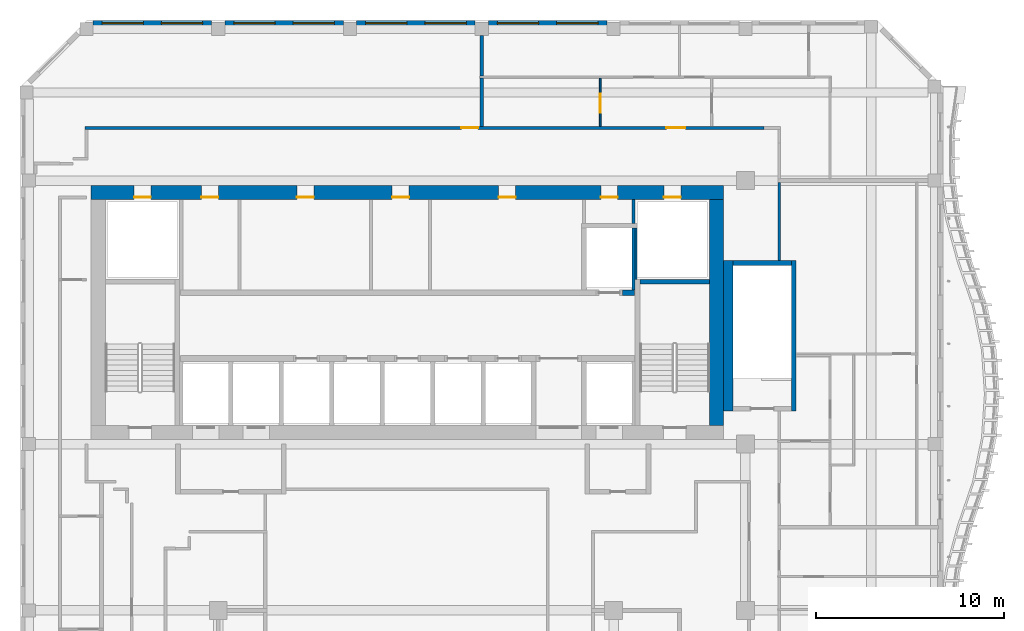
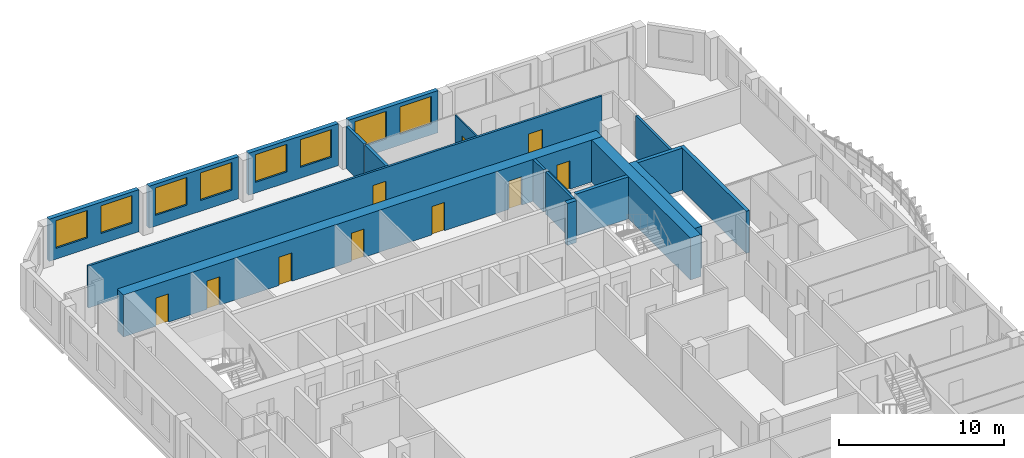
# One storey, part 8 of 18: 19 walls, 10 doors, 8 windows, 18 openings.
"""IFC4 building model written with IfcOpenShell, lengths in metres."""

from ifc_helpers import new_model, si_unit, direction, frame, frame_2d, origin, place, context, subcontext, project, spatial, rectangle, extrude, source, transform, mapped, material, layer, layer_set, type_object, element, fill, save


model = new_model("IFC4")

# Units and contexts
model_context = context("Model", 3, precision=1e-05, world=origin(), true_north=direction((0.0, 1.0)))
body_context = subcontext(model_context, "Body", "Model", "MODEL_VIEW")
ifc_project = project(units=[si_unit("LENGTHUNIT", "METRE"), si_unit("AREAUNIT", "SQUARE_METRE"), si_unit("VOLUMEUNIT", "CUBIC_METRE"), si_unit("PLANEANGLEUNIT", "RADIAN"), si_unit("MASSUNIT", "GRAM", prefix="KILO")], contexts=[model_context])

# Site, building, storey
site_placement = place(None, origin())
site = spatial("IfcSite", under=ifc_project, at=site_placement, CompositionType="ELEMENT")
building_placement = place(site_placement, origin())
building = spatial("IfcBuilding", under=site, at=building_placement, Name="Kilnfold Tower and Market Hall", CompositionType="ELEMENT")
storey_placement = place(building_placement, frame((0.0, 0.0, 256.0)))
storey = spatial("IfcBuildingStorey", under=building, at=storey_placement, Name="L62", CompositionType="ELEMENT", Elevation=256.0)

# Wall
ifc_material_1 = material(Name="Gypsum board on steel studs", Category="steel")
ifc_layer_1 = layer(ifc_material_1, 0.14990234375)
ifc_layer_set_1 = layer_set([ifc_layer_1], Name="Gypsum board on steel studs")
wall_type_1 = type_object("IfcWallType", Name="WALL CORRIDOR 150", PredefinedType="PARTITIONING", material=ifc_layer_set_1)
wall_1_placement = place(storey_placement, frame((20.800048828125, 17.75, 0.0), z_axis=(0.0, 0.0, 1.0), x_axis=(0.0, 1.0, 0.0)))
element("IfcWall", 1, at=wall_1_placement, inside=storey, type_object=wall_type_1, Name="Partition LY38.16", PredefinedType="PARTITIONING", context=body_context, shape_type="SweptSolid", body=[
    extrude(rectangle(XDim=4.159912109375, YDim=0.14990234375, at=frame_2d((2.080078125, 0.0))), origin(), (0.0, 0.0, 1.0), 3.1201171875),
])

# Wall, openings, doors
wall_2_placement = place(storey_placement, frame((-16.074951171875, 24.800048828125, 0.0), z_axis=(0.0, 0.0, 1.0), x_axis=(1.0, 0.0, 0.0)))
wall_2 = element("IfcWall", 2, at=wall_2_placement, inside=storey, type_object=wall_type_1, Name="Partition LY38.26", PredefinedType="PARTITIONING", context=body_context, shape_type="SweptSolid", body=[
    extrude(rectangle(XDim=36.072998046875, YDim=0.14990234375, at=frame_2d((18.03662109375, 0.0))), origin(), (0.0, 0.0, 1.0), 3.1201171875),
])
opening_1_placement = place(wall_2_placement, frame((19.985107421875, 0.0, 0.0)))
opening_1 = element("IfcOpeningElement", 3, at=opening_1_placement, cuts=wall_2, Name="Opening D2", PredefinedType="OPENING", context=body_context, shape_type="SweptSolid", body=[
    extrude(rectangle(XDim=0.89990234375, YDim=2.10009765625, at=frame_2d((0.449951171875, 1.050048828125))), frame((0.0, 0.0849609375, 0.0), z_axis=(0.0, -1.0, 0.0), x_axis=(1.0, 0.0, 0.0)), (0.0, 0.0, 1.0), 0.169921875),
])
opening_2_placement = place(wall_2_placement, frame((30.884033203125, 0.0, 0.0)))
opening_2 = element("IfcOpeningElement", 4, at=opening_2_placement, cuts=wall_2, Name="Opening D1", PredefinedType="OPENING", context=body_context, shape_type="SweptSolid", body=[
    extrude(rectangle(XDim=1.0, YDim=2.10009765625, at=frame_2d((0.5, 1.050048828125))), frame((0.0, 0.0849609375, 0.0), z_axis=(0.0, -1.0, 0.0), x_axis=(1.0, 0.0, 0.0)), (0.0, 0.0, 1.0), 0.169921875),
])
ifc_material_2 = material(Name="Timber veneer door leaf in steel frame", Category="steel")
door_type_1 = type_object("IfcDoorType", Name="DOOR ENTRY 1000 X2100", OperationType="NOTDEFINED", PredefinedType="DOOR", material=ifc_material_2)
door_1_placement = place(opening_2_placement, origin())
door_1 = element("IfcDoor", 5, at=door_1_placement, inside=storey, type_object=door_type_1, Name="Door D1", OperationType="SINGLE_SWING_LEFT", OverallHeight=2.10009765625, OverallWidth=1.0, PredefinedType="DOOR", context=body_context, shape_type="SweptSolid", body=[
    extrude(rectangle(XDim=1.0, YDim=2.10009765625, at=frame_2d((0.5, 1.050048828125))), frame((0.0, 0.02490234375, 0.0), z_axis=(0.0, -1.0, 0.0), x_axis=(1.0, 0.0, 0.0)), (0.0, 0.0, 1.0), 0.050048828125),
])
fill(opening_2, door_1)
ifc_material_3 = material(Name="Timber veneer door leaf in steel frame", Category="steel")
door_type_2 = type_object("IfcDoorType", Name="DOOR ROOM 900 X2100", OperationType="NOTDEFINED", PredefinedType="DOOR", material=ifc_material_3)
door_2_placement = place(opening_1_placement, origin())
door_2 = element("IfcDoor", 6, at=door_2_placement, inside=storey, type_object=door_type_2, Name="Door D2", OperationType="SINGLE_SWING_LEFT", OverallHeight=2.10009765625, OverallWidth=0.89990234375, PredefinedType="DOOR", context=body_context, shape_type="SweptSolid", body=[
    extrude(rectangle(XDim=0.89990234375, YDim=2.10009765625, at=frame_2d((0.449951171875, 1.050048828125))), frame((0.0, 0.02490234375, 0.0), z_axis=(0.0, -1.0, 0.0), x_axis=(1.0, 0.0, 0.0)), (0.0, 0.0, 1.0), 0.050048828125),
])
fill(opening_1, door_2)

# Wall, opening, door
ifc_material_4 = material(Name="Gypsum board on steel studs", Category="steel")
ifc_layer_2 = layer(ifc_material_4, 0.10009765625)
ifc_layer_set_2 = layer_set([ifc_layer_2], Name="Gypsum board on steel studs")
wall_type_2 = type_object("IfcWallType", Name="WALL PARTITION 100", PredefinedType="PARTITIONING", material=ifc_layer_set_2)
wall_3_placement = place(storey_placement, frame((11.2900390625, 24.876953125, 0.0), z_axis=(0.0, 0.0, 1.0), x_axis=(0.0, 1.0, 0.0)))
wall_3 = element("IfcWall", 7, at=wall_3_placement, inside=storey, type_object=wall_type_2, Name="Partition LY38.94", PredefinedType="PARTITIONING", context=body_context, shape_type="SweptSolid", body=[
    extrude(rectangle(XDim=2.572998046875, YDim=0.10009765625, at=frame_2d((1.28662109375, 0.0))), origin(), (0.0, 0.0, 1.0), 3.1201171875),
])
opening_3_placement = place(wall_3_placement, frame((0.73291015625, 0.0, 0.0)))
opening_3 = element("IfcOpeningElement", 8, at=opening_3_placement, cuts=wall_3, Name="Opening D1", PredefinedType="OPENING", context=body_context, shape_type="SweptSolid", body=[
    extrude(rectangle(XDim=1.0, YDim=2.10009765625, at=frame_2d((0.5, 1.050048828125))), frame((0.0, 0.06005859375, 0.0), z_axis=(0.0, -1.0, 0.0), x_axis=(1.0, 0.0, 0.0)), (0.0, 0.0, 1.0), 0.1201171875),
])
door_3_placement = place(opening_3_placement, origin())
door_3 = element("IfcDoor", 9, at=door_3_placement, inside=storey, type_object=door_type_1, Name="Door D1", OperationType="SINGLE_SWING_LEFT", OverallHeight=2.10009765625, OverallWidth=1.0, PredefinedType="DOOR", context=body_context, shape_type="SweptSolid", body=[
    extrude(rectangle(XDim=1.0, YDim=2.10009765625, at=frame_2d((0.5, 1.050048828125))), frame((0.0, 0.02490234375, 0.0), z_axis=(0.0, -1.0, 0.0), x_axis=(1.0, 0.0, 0.0)), (0.0, 0.0, 1.0), 0.050048828125),
])
fill(opening_3, door_3)

# Walls
ifc_material_5 = material(Name="Gypsum board on steel studs", Category="steel")
ifc_layer_3 = layer(ifc_material_5, 0.199951171875)
ifc_layer_set_3 = layer_set([ifc_layer_3], Name="Gypsum board on steel studs")
wall_type_3 = type_object("IfcWallType", Name="WALL PARTY 200", PredefinedType="PARTITIONING", material=ifc_layer_set_3)
wall_4_placement = place(storey_placement, frame((5.0, 24.876953125, 0.0), z_axis=(0.0, 0.0, 1.0), x_axis=(0.0, 1.0, 0.0)))
element("IfcWall", 10, at=wall_4_placement, inside=storey, type_object=wall_type_3, Name="Partition LY38.96", PredefinedType="PARTITIONING", context=body_context, shape_type="SweptSolid", body=[
    extrude(rectangle(XDim=2.572998046875, YDim=0.199951171875, at=frame_2d((1.28662109375, 0.0))), origin(), (0.0, 0.0, 1.0), 3.1201171875),
])
wall_5_placement = place(storey_placement, frame((5.0, 27.552001953125, 0.0), z_axis=(0.0, 0.0, 1.0), x_axis=(0.0, 1.0, 0.0)))
element("IfcWall", 11, at=wall_5_placement, inside=storey, type_object=wall_type_3, Name="Partition LY38.102", PredefinedType="PARTITIONING", context=body_context, shape_type="SweptSolid", body=[
    extrude(rectangle(XDim=2.14794921875, YDim=0.199951171875, at=frame_2d((1.073974609375, 0.0))), origin(), (0.0, 0.0, 1.0), 3.1201171875),
])
ifc_material_6 = material(Name="Concrete C60", Category="concrete")
ifc_layer_4 = layer(ifc_material_6, 0.25)
ifc_layer_set_4 = layer_set([ifc_layer_4], Name="Concrete C60")
wall_type_4 = type_object("IfcWallType", Name="CORE WALL 250 C60", PredefinedType="SHEAR", material=ifc_layer_set_4)
shared_shape_1 = source(origin(), body_context, "Body", "SweptSolid", [
    extrude(rectangle(XDim=3.7001953125, YDim=0.25, at=frame_2d((1.85009765625, 0.0))), origin(), (0.0, 0.0, 1.0), 3.1201171875),
])
wall_6_placement = place(storey_placement, frame((13.39990234375, 16.625, 0.0), z_axis=(0.0, 0.0, 1.0), x_axis=(1.0, 0.0, 0.0)))
element("IfcWall", 12, at=wall_6_placement, inside=storey, type_object=wall_type_4, Name="Stair enclosure ST2", PredefinedType="SHEAR", context=body_context, shape_type="MappedRepresentation", body=[
    mapped(shared_shape_1, transform((0.0, 0.0, 0.0))),
])
shared_shape_2 = source(origin(), body_context, "Body", "SweptSolid", [
    extrude(rectangle(XDim=8.0, YDim=0.25, at=frame_2d((4.0, 0.0))), origin(), (0.0, 0.0, 1.0), 3.1201171875),
])
wall_7_placement = place(storey_placement, frame((21.574951171875, 9.75, 0.0), z_axis=(0.0, 0.0, 1.0), x_axis=(0.0, 1.0, 0.0)))
element("IfcWall", 13, at=wall_7_placement, inside=storey, type_object=wall_type_4, Name="Stair enclosure ST5", PredefinedType="SHEAR", context=body_context, shape_type="MappedRepresentation", body=[
    mapped(shared_shape_2, transform((0.0, 0.0, 0.0))),
])
shared_shape_3 = source(origin(), body_context, "Body", "SweptSolid", [
    extrude(rectangle(XDim=3.099853515625, YDim=0.25, at=frame_2d((1.5498046875, 0.0))), origin(), (0.0, 0.0, 1.0), 3.1201171875),
])
wall_8_placement = place(storey_placement, frame((18.35009765625, 17.625, 0.0), z_axis=(0.0, 0.0, 1.0), x_axis=(1.0, 0.0, 0.0)))
element("IfcWall", 14, at=wall_8_placement, inside=storey, type_object=wall_type_4, Name="Stair enclosure ST5", PredefinedType="SHEAR", context=body_context, shape_type="MappedRepresentation", body=[
    mapped(shared_shape_3, transform((0.0, 0.0, 0.0))),
])
ifc_material_7 = material(Name="Concrete C60", Category="concrete")
ifc_layer_5 = layer(ifc_material_7, 0.300048828125)
ifc_layer_set_5 = layer_set([ifc_layer_5], Name="Concrete C60")
wall_type_5 = type_object("IfcWallType", Name="CORE WALL 300 C60", PredefinedType="SHEAR", material=ifc_layer_set_5)
shared_shape_4 = source(origin(), body_context, "Body", "SweptSolid", [
    extrude(rectangle(XDim=0.64013671875, YDim=0.300048828125, at=frame_2d((0.320068359375, 0.0))), origin(), (0.0, 0.0, 1.0), 3.1201171875),
])
wall_9_placement = place(storey_placement, frame((12.469970703125, 16.050048828125, 0.0), z_axis=(0.0, 0.0, 1.0), x_axis=(1.0, 0.0, 0.0)))
element("IfcWall", 15, at=wall_9_placement, inside=storey, type_object=wall_type_5, Name="Core spine wall", PredefinedType="SHEAR", context=body_context, shape_type="MappedRepresentation", body=[
    mapped(shared_shape_4, transform((0.0, 0.0, 0.0))),
])

# Wall, openings, doors
ifc_material_8 = material(Name="Concrete C60", Category="concrete")
ifc_layer_6 = layer(ifc_material_8, 0.75)
ifc_layer_set_6 = layer_set([ifc_layer_6], Name="Concrete C60")
wall_type_6 = type_object("IfcWallType", Name="CORE WALL 750 C60", PredefinedType="SHEAR", material=ifc_layer_set_6)
shared_shape_5 = source(origin(), body_context, "Body", "SweptSolid", [
    extrude(rectangle(XDim=33.60009765625, YDim=0.75, at=frame_2d((16.800048828125, 0.0))), origin(), (0.0, 0.0, 1.0), 3.1201171875),
])
wall_10_placement = place(storey_placement, frame((-15.75, 21.375, 0.0), z_axis=(0.0, 0.0, 1.0), x_axis=(1.0, 0.0, 0.0)))
wall_10 = element("IfcWall", 16, at=wall_10_placement, inside=storey, type_object=wall_type_6, Name="Core outer wall north", PredefinedType="SHEAR", context=body_context, shape_type="MappedRepresentation", body=[
    mapped(shared_shape_5, transform((0.0, 0.0, 0.0))),
])
opening_4_placement = place(wall_10_placement, frame((5.85791015625, 0.0, 0.0)))
opening_4 = element("IfcOpeningElement", 17, at=opening_4_placement, cuts=wall_10, Name="Opening KD1", PredefinedType="OPENING", context=body_context, shape_type="SweptSolid", body=[
    extrude(rectangle(XDim=0.89990234375, YDim=2.10009765625, at=frame_2d((0.449951171875, 1.050048828125))), frame((0.0, 0.385009765625, 0.0), z_axis=(0.0, -1.0, 0.0), x_axis=(1.0, 0.0, 0.0)), (0.0, 0.0, 1.0), 0.77001953125),
])
opening_5_placement = place(wall_10_placement, frame((10.923095703125, 0.0, 0.0)))
opening_5 = element("IfcOpeningElement", 18, at=opening_5_placement, cuts=wall_10, Name="Opening KD1", PredefinedType="OPENING", context=body_context, shape_type="SweptSolid", body=[
    extrude(rectangle(XDim=0.89990234375, YDim=2.10009765625, at=frame_2d((0.449951171875, 1.050048828125))), frame((0.0, 0.385009765625, 0.0), z_axis=(0.0, -1.0, 0.0), x_axis=(1.0, 0.0, 0.0)), (0.0, 0.0, 1.0), 0.77001953125),
])
opening_6_placement = place(wall_10_placement, frame((15.98828125, 0.0, 0.0)))
opening_6 = element("IfcOpeningElement", 19, at=opening_6_placement, cuts=wall_10, Name="Opening KD1", PredefinedType="OPENING", context=body_context, shape_type="SweptSolid", body=[
    extrude(rectangle(XDim=0.89990234375, YDim=2.10009765625, at=frame_2d((0.449951171875, 1.050048828125))), frame((0.0, 0.385009765625, 0.0), z_axis=(0.0, -1.0, 0.0), x_axis=(1.0, 0.0, 0.0)), (0.0, 0.0, 1.0), 0.77001953125),
])
opening_7_placement = place(wall_10_placement, frame((21.64306640625, 0.0, 0.0)))
opening_7 = element("IfcOpeningElement", 20, at=opening_7_placement, cuts=wall_10, Name="Opening KD1", PredefinedType="OPENING", context=body_context, shape_type="SweptSolid", body=[
    extrude(rectangle(XDim=0.89990234375, YDim=2.10009765625, at=frame_2d((0.449951171875, 1.050048828125))), frame((0.0, 0.385009765625, 0.0), z_axis=(0.0, -1.0, 0.0), x_axis=(1.0, 0.0, 0.0)), (0.0, 0.0, 1.0), 0.77001953125),
])
opening_8_placement = place(wall_10_placement, frame((27.070068359375, 0.0, 0.0)))
opening_8 = element("IfcOpeningElement", 21, at=opening_8_placement, cuts=wall_10, Name="Opening KD1", PredefinedType="OPENING", context=body_context, shape_type="SweptSolid", body=[
    extrude(rectangle(XDim=0.89990234375, YDim=2.10009765625, at=frame_2d((0.449951171875, 1.050048828125))), frame((0.0, 0.385009765625, 0.0), z_axis=(0.0, -1.0, 0.0), x_axis=(1.0, 0.0, 0.0)), (0.0, 0.0, 1.0), 0.77001953125),
])
opening_9_placement = place(wall_10_placement, frame((2.27490234375, 0.0, 0.0)))
opening_9 = element("IfcOpeningElement", 22, at=opening_9_placement, cuts=wall_10, Name="Opening KD1", PredefinedType="OPENING", context=body_context, shape_type="SweptSolid", body=[
    extrude(rectangle(XDim=0.89990234375, YDim=2.10009765625, at=frame_2d((0.449951171875, 1.050048828125))), frame((0.0, 0.385009765625, 0.0), z_axis=(0.0, -1.0, 0.0), x_axis=(1.0, 0.0, 0.0)), (0.0, 0.0, 1.0), 0.77001953125),
])
opening_10_placement = place(wall_10_placement, frame((30.425048828125, 0.0, 0.0)))
opening_10 = element("IfcOpeningElement", 23, at=opening_10_placement, cuts=wall_10, Name="Opening KD1", PredefinedType="OPENING", context=body_context, shape_type="SweptSolid", body=[
    extrude(rectangle(XDim=0.89990234375, YDim=2.10009765625, at=frame_2d((0.449951171875, 1.050048828125))), frame((0.0, 0.385009765625, 0.0), z_axis=(0.0, -1.0, 0.0), x_axis=(1.0, 0.0, 0.0)), (0.0, 0.0, 1.0), 0.77001953125),
])
ifc_material_9 = material(Name="Steel door set with fire-resisting leaf", Category="steel")
door_type_3 = type_object("IfcDoorType", Name="SERVICE DOOR 900X2100", OperationType="NOTDEFINED", PredefinedType="DOOR", material=ifc_material_9)
door_4_placement = place(opening_4_placement, origin())
door_4 = element("IfcDoor", 24, at=door_4_placement, inside=storey, type_object=door_type_3, Name="Core service door", OperationType="SINGLE_SWING_RIGHT", OverallHeight=2.10009765625, OverallWidth=0.89990234375, PredefinedType="DOOR", context=body_context, shape_type="SweptSolid", body=[
    extrude(rectangle(XDim=0.89990234375, YDim=2.10009765625, at=frame_2d((0.449951171875, 1.050048828125))), frame((0.0, -0.22998046875, 0.0), z_axis=(0.0, -1.0, 0.0), x_axis=(1.0, 0.0, 0.0)), (0.0, 0.0, 1.0), 0.050048828125),
])
fill(opening_4, door_4)
door_5_placement = place(opening_5_placement, origin())
door_5 = element("IfcDoor", 25, at=door_5_placement, inside=storey, type_object=door_type_3, Name="Core service door", OperationType="SINGLE_SWING_LEFT", OverallHeight=2.10009765625, OverallWidth=0.89990234375, PredefinedType="DOOR", context=body_context, shape_type="SweptSolid", body=[
    extrude(rectangle(XDim=0.89990234375, YDim=2.10009765625, at=frame_2d((0.449951171875, 1.050048828125))), frame((0.0, -0.22998046875, 0.0), z_axis=(0.0, -1.0, 0.0), x_axis=(1.0, 0.0, 0.0)), (0.0, 0.0, 1.0), 0.050048828125),
])
fill(opening_5, door_5)
door_6_placement = place(opening_6_placement, origin())
door_6 = element("IfcDoor", 26, at=door_6_placement, inside=storey, type_object=door_type_3, Name="Core service door", OperationType="SINGLE_SWING_RIGHT", OverallHeight=2.10009765625, OverallWidth=0.89990234375, PredefinedType="DOOR", context=body_context, shape_type="SweptSolid", body=[
    extrude(rectangle(XDim=0.89990234375, YDim=2.10009765625, at=frame_2d((0.449951171875, 1.050048828125))), frame((0.0, -0.22998046875, 0.0), z_axis=(0.0, -1.0, 0.0), x_axis=(1.0, 0.0, 0.0)), (0.0, 0.0, 1.0), 0.050048828125),
])
fill(opening_6, door_6)
door_7_placement = place(opening_7_placement, origin())
door_7 = element("IfcDoor", 27, at=door_7_placement, inside=storey, type_object=door_type_3, Name="Core service door", OperationType="SINGLE_SWING_LEFT", OverallHeight=2.10009765625, OverallWidth=0.89990234375, PredefinedType="DOOR", context=body_context, shape_type="SweptSolid", body=[
    extrude(rectangle(XDim=0.89990234375, YDim=2.10009765625, at=frame_2d((0.449951171875, 1.050048828125))), frame((0.0, -0.22998046875, 0.0), z_axis=(0.0, -1.0, 0.0), x_axis=(1.0, 0.0, 0.0)), (0.0, 0.0, 1.0), 0.050048828125),
])
fill(opening_7, door_7)
door_8_placement = place(opening_8_placement, origin())
door_8 = element("IfcDoor", 28, at=door_8_placement, inside=storey, type_object=door_type_3, Name="Core service door", OperationType="SINGLE_SWING_RIGHT", OverallHeight=2.10009765625, OverallWidth=0.89990234375, PredefinedType="DOOR", context=body_context, shape_type="SweptSolid", body=[
    extrude(rectangle(XDim=0.89990234375, YDim=2.10009765625, at=frame_2d((0.449951171875, 1.050048828125))), frame((0.0, -0.22998046875, 0.0), z_axis=(0.0, -1.0, 0.0), x_axis=(1.0, 0.0, 0.0)), (0.0, 0.0, 1.0), 0.050048828125),
])
fill(opening_8, door_8)
door_9_placement = place(opening_9_placement, origin())
door_9 = element("IfcDoor", 29, at=door_9_placement, inside=storey, type_object=door_type_3, Name="Electrical riser access door", OperationType="SINGLE_SWING_LEFT", OverallHeight=2.10009765625, OverallWidth=0.89990234375, PredefinedType="DOOR", context=body_context, shape_type="SweptSolid", body=[
    extrude(rectangle(XDim=0.89990234375, YDim=2.10009765625, at=frame_2d((0.449951171875, 1.050048828125))), frame((0.0, -0.22998046875, 0.0), z_axis=(0.0, -1.0, 0.0), x_axis=(1.0, 0.0, 0.0)), (0.0, 0.0, 1.0), 0.050048828125),
])
fill(opening_9, door_9)
door_10_placement = place(opening_10_placement, origin())
door_10 = element("IfcDoor", 30, at=door_10_placement, inside=storey, type_object=door_type_3, Name="Mechanical riser access door", OperationType="SINGLE_SWING_RIGHT", OverallHeight=2.10009765625, OverallWidth=0.89990234375, PredefinedType="DOOR", context=body_context, shape_type="SweptSolid", body=[
    extrude(rectangle(XDim=0.89990234375, YDim=2.10009765625, at=frame_2d((0.449951171875, 1.050048828125))), frame((0.0, -0.22998046875, 0.0), z_axis=(0.0, -1.0, 0.0), x_axis=(1.0, 0.0, 0.0)), (0.0, 0.0, 1.0), 0.050048828125),
])
fill(opening_10, door_10)

# Walls
shared_shape_6 = source(origin(), body_context, "Body", "SweptSolid", [
    extrude(rectangle(XDim=12.0, YDim=0.75, at=frame_2d((6.0, 0.0))), origin(), (0.0, 0.0, 1.0), 3.1201171875),
])
wall_11_placement = place(storey_placement, frame((17.47509765625, 9.0, 0.0), z_axis=(0.0, 0.0, 1.0), x_axis=(0.0, 1.0, 0.0)))
element("IfcWall", 31, at=wall_11_placement, inside=storey, type_object=wall_type_6, Name="Core outer wall east", PredefinedType="SHEAR", context=body_context, shape_type="MappedRepresentation", body=[
    mapped(shared_shape_6, transform((0.0, 0.0, 0.0))),
])
ifc_material_10 = material(Name="Concrete C60", Category="concrete")
ifc_layer_7 = layer(ifc_material_10, 0.5)
ifc_layer_set_7 = layer_set([ifc_layer_7], Name="Concrete C60")
wall_type_7 = type_object("IfcWallType", Name="CORE WALL 500 C60", PredefinedType="SHEAR", material=ifc_layer_set_7)
shared_shape_7 = source(origin(), body_context, "Body", "SweptSolid", [
    extrude(rectangle(XDim=8.0, YDim=0.5, at=frame_2d((4.0, 0.0))), origin(), (0.0, 0.0, 1.0), 3.1201171875),
])
wall_12_placement = place(storey_placement, frame((18.10009765625, 9.75, 0.0), z_axis=(0.0, 0.0, 1.0), x_axis=(0.0, 1.0, 0.0)))
element("IfcWall", 32, at=wall_12_placement, inside=storey, type_object=wall_type_7, Name="Stair enclosure ST5", PredefinedType="SHEAR", context=body_context, shape_type="MappedRepresentation", body=[
    mapped(shared_shape_7, transform((0.0, 0.0, 0.0))),
])

# Wall, openings, windows
ifc_material_11 = material(Name="Precast concrete C50/60", Category="concrete")
ifc_layer_8 = layer(ifc_material_11, 0.300048828125)
ifc_layer_set_8 = layer_set([ifc_layer_8], Name="Precast concrete C50/60")
wall_type_8 = type_object("IfcWallType", Name="PRECAST WALL 300", PredefinedType="SOLIDWALL", material=ifc_layer_set_8)
shared_shape_8 = source(origin(), body_context, "Body", "SweptSolid", [
    extrude(rectangle(XDim=6.2998046875, YDim=0.300048828125, at=frame_2d((3.14990234375, 0.0))), origin(), (0.0, 0.0, 1.0), 3.1201171875),
])
wall_13_placement = place(storey_placement, frame((11.64990234375, 30.35009765625, 0.0), z_axis=(0.0, 0.0, 1.0), x_axis=(-1.0, 0.0, 0.0)))
wall_13 = element("IfcWall", 33, at=wall_13_placement, inside=storey, type_object=wall_type_8, Name="External wall L62 N", PredefinedType="SOLIDWALL", context=body_context, shape_type="MappedRepresentation", body=[
    mapped(shared_shape_8, transform((0.0, 0.0, 0.0))),
])
opening_11_placement = place(wall_13_placement, frame((0.47509765625, 0.0, 0.800048828125)))
opening_11 = element("IfcOpeningElement", 34, at=opening_11_placement, cuts=wall_13, Name="Opening W3", PredefinedType="OPENING", context=body_context, shape_type="SweptSolid", body=[
    extrude(rectangle(XDim=2.199951171875, YDim=2.050048828125, at=frame_2d((1.10009765625, 1.02490234375))), frame((0.0, 0.16015625, 0.0), z_axis=(0.0, -1.0, 0.0), x_axis=(1.0, 0.0, 0.0)), (0.0, 0.0, 1.0), 0.320068359375),
])
opening_12_placement = place(wall_13_placement, frame((3.625, 0.0, 0.800048828125)))
opening_12 = element("IfcOpeningElement", 35, at=opening_12_placement, cuts=wall_13, Name="Opening W3", PredefinedType="OPENING", context=body_context, shape_type="SweptSolid", body=[
    extrude(rectangle(XDim=2.199951171875, YDim=2.050048828125, at=frame_2d((1.10009765625, 1.02490234375))), frame((0.0, 0.16015625, 0.0), z_axis=(0.0, -1.0, 0.0), x_axis=(1.0, 0.0, 0.0)), (0.0, 0.0, 1.0), 0.320068359375),
])
ifc_material_12 = material(Name="Aluminium frame and double glazing", Category="aluminium")
window_type = type_object("IfcWindowType", Name="WINDOW W3 2200X2050", PartitioningType="SINGLE_PANEL", PredefinedType="WINDOW", material=ifc_material_12)
window_1_placement = place(opening_11_placement, origin())
window_1 = element("IfcWindow", 36, at=window_1_placement, inside=storey, type_object=window_type, Name="Window W3 L62 N-1", OverallHeight=2.050048828125, OverallWidth=2.199951171875, PartitioningType="SINGLE_PANEL", PredefinedType="WINDOW", context=body_context, shape_type="SweptSolid", body=[
    extrude(rectangle(XDim=2.199951171875, YDim=2.050048828125, at=frame_2d((1.10009765625, 1.02490234375))), frame((0.0, 0.030029296875, 0.0), z_axis=(0.0, -1.0, 0.0), x_axis=(1.0, 0.0, 0.0)), (0.0, 0.0, 1.0), 0.06005859375),
])
fill(opening_11, window_1)
window_2_placement = place(opening_12_placement, origin())
window_2 = element("IfcWindow", 37, at=window_2_placement, inside=storey, type_object=window_type, Name="Window W3 L62 N-2", OverallHeight=2.050048828125, OverallWidth=2.199951171875, PartitioningType="SINGLE_PANEL", PredefinedType="WINDOW", context=body_context, shape_type="SweptSolid", body=[
    extrude(rectangle(XDim=2.199951171875, YDim=2.050048828125, at=frame_2d((1.10009765625, 1.02490234375))), frame((0.0, 0.030029296875, 0.0), z_axis=(0.0, -1.0, 0.0), x_axis=(1.0, 0.0, 0.0)), (0.0, 0.0, 1.0), 0.06005859375),
])
fill(opening_12, window_2)

wall_14_placement = place(storey_placement, frame((4.64990234375, 30.35009765625, 0.0), z_axis=(0.0, 0.0, 1.0), x_axis=(-1.0, 0.0, 0.0)))
wall_14 = element("IfcWall", 38, at=wall_14_placement, inside=storey, type_object=wall_type_8, Name="External wall L62 N", PredefinedType="SOLIDWALL", context=body_context, shape_type="MappedRepresentation", body=[
    mapped(shared_shape_8, transform((0.0, 0.0, 0.0))),
])
opening_13_placement = place(wall_14_placement, frame((0.47509765625, 0.0, 0.800048828125)))
opening_13 = element("IfcOpeningElement", 39, at=opening_13_placement, cuts=wall_14, Name="Opening W3", PredefinedType="OPENING", context=body_context, shape_type="SweptSolid", body=[
    extrude(rectangle(XDim=2.199951171875, YDim=2.050048828125, at=frame_2d((1.10009765625, 1.02490234375))), frame((0.0, 0.16015625, 0.0), z_axis=(0.0, -1.0, 0.0), x_axis=(1.0, 0.0, 0.0)), (0.0, 0.0, 1.0), 0.320068359375),
])
opening_14_placement = place(wall_14_placement, frame((3.625, 0.0, 0.800048828125)))
opening_14 = element("IfcOpeningElement", 40, at=opening_14_placement, cuts=wall_14, Name="Opening W3", PredefinedType="OPENING", context=body_context, shape_type="SweptSolid", body=[
    extrude(rectangle(XDim=2.199951171875, YDim=2.050048828125, at=frame_2d((1.10009765625, 1.02490234375))), frame((0.0, 0.16015625, 0.0), z_axis=(0.0, -1.0, 0.0), x_axis=(1.0, 0.0, 0.0)), (0.0, 0.0, 1.0), 0.320068359375),
])
window_3_placement = place(opening_13_placement, origin())
window_3 = element("IfcWindow", 41, at=window_3_placement, inside=storey, type_object=window_type, Name="Window W3 L62 N-1", OverallHeight=2.050048828125, OverallWidth=2.199951171875, PartitioningType="SINGLE_PANEL", PredefinedType="WINDOW", context=body_context, shape_type="SweptSolid", body=[
    extrude(rectangle(XDim=2.199951171875, YDim=2.050048828125, at=frame_2d((1.10009765625, 1.02490234375))), frame((0.0, 0.030029296875, 0.0), z_axis=(0.0, -1.0, 0.0), x_axis=(1.0, 0.0, 0.0)), (0.0, 0.0, 1.0), 0.06005859375),
])
fill(opening_13, window_3)
window_4_placement = place(opening_14_placement, origin())
window_4 = element("IfcWindow", 42, at=window_4_placement, inside=storey, type_object=window_type, Name="Window W3 L62 N-2", OverallHeight=2.050048828125, OverallWidth=2.199951171875, PartitioningType="SINGLE_PANEL", PredefinedType="WINDOW", context=body_context, shape_type="SweptSolid", body=[
    extrude(rectangle(XDim=2.199951171875, YDim=2.050048828125, at=frame_2d((1.10009765625, 1.02490234375))), frame((0.0, 0.030029296875, 0.0), z_axis=(0.0, -1.0, 0.0), x_axis=(1.0, 0.0, 0.0)), (0.0, 0.0, 1.0), 0.06005859375),
])
fill(opening_14, window_4)

wall_15_placement = place(storey_placement, frame((-2.35009765625, 30.35009765625, 0.0), z_axis=(0.0, 0.0, 1.0), x_axis=(-1.0, 0.0, 0.0)))
wall_15 = element("IfcWall", 43, at=wall_15_placement, inside=storey, type_object=wall_type_8, Name="External wall L62 N", PredefinedType="SOLIDWALL", context=body_context, shape_type="MappedRepresentation", body=[
    mapped(shared_shape_8, transform((0.0, 0.0, 0.0))),
])
opening_15_placement = place(wall_15_placement, frame((0.47509765625, 0.0, 0.800048828125)))
opening_15 = element("IfcOpeningElement", 44, at=opening_15_placement, cuts=wall_15, Name="Opening W3", PredefinedType="OPENING", context=body_context, shape_type="SweptSolid", body=[
    extrude(rectangle(XDim=2.199951171875, YDim=2.050048828125, at=frame_2d((1.10009765625, 1.02490234375))), frame((0.0, 0.16015625, 0.0), z_axis=(0.0, -1.0, 0.0), x_axis=(1.0, 0.0, 0.0)), (0.0, 0.0, 1.0), 0.320068359375),
])
opening_16_placement = place(wall_15_placement, frame((3.625, 0.0, 0.800048828125)))
opening_16 = element("IfcOpeningElement", 45, at=opening_16_placement, cuts=wall_15, Name="Opening W3", PredefinedType="OPENING", context=body_context, shape_type="SweptSolid", body=[
    extrude(rectangle(XDim=2.199951171875, YDim=2.050048828125, at=frame_2d((1.10009765625, 1.02490234375))), frame((0.0, 0.16015625, 0.0), z_axis=(0.0, -1.0, 0.0), x_axis=(1.0, 0.0, 0.0)), (0.0, 0.0, 1.0), 0.320068359375),
])
window_5_placement = place(opening_15_placement, origin())
window_5 = element("IfcWindow", 46, at=window_5_placement, inside=storey, type_object=window_type, Name="Window W3 L62 N-1", OverallHeight=2.050048828125, OverallWidth=2.199951171875, PartitioningType="SINGLE_PANEL", PredefinedType="WINDOW", context=body_context, shape_type="SweptSolid", body=[
    extrude(rectangle(XDim=2.199951171875, YDim=2.050048828125, at=frame_2d((1.10009765625, 1.02490234375))), frame((0.0, 0.030029296875, 0.0), z_axis=(0.0, -1.0, 0.0), x_axis=(1.0, 0.0, 0.0)), (0.0, 0.0, 1.0), 0.06005859375),
])
fill(opening_15, window_5)
window_6_placement = place(opening_16_placement, origin())
window_6 = element("IfcWindow", 47, at=window_6_placement, inside=storey, type_object=window_type, Name="Window W3 L62 N-2", OverallHeight=2.050048828125, OverallWidth=2.199951171875, PartitioningType="SINGLE_PANEL", PredefinedType="WINDOW", context=body_context, shape_type="SweptSolid", body=[
    extrude(rectangle(XDim=2.199951171875, YDim=2.050048828125, at=frame_2d((1.10009765625, 1.02490234375))), frame((0.0, 0.030029296875, 0.0), z_axis=(0.0, -1.0, 0.0), x_axis=(1.0, 0.0, 0.0)), (0.0, 0.0, 1.0), 0.06005859375),
])
fill(opening_16, window_6)

wall_16_placement = place(storey_placement, frame((-9.35009765625, 30.35009765625, 0.0), z_axis=(0.0, 0.0, 1.0), x_axis=(-1.0, 0.0, 0.0)))
wall_16 = element("IfcWall", 48, at=wall_16_placement, inside=storey, type_object=wall_type_8, Name="External wall L62 N", PredefinedType="SOLIDWALL", context=body_context, shape_type="MappedRepresentation", body=[
    mapped(shared_shape_8, transform((0.0, 0.0, 0.0))),
])
opening_17_placement = place(wall_16_placement, frame((0.47509765625, 0.0, 0.800048828125)))
opening_17 = element("IfcOpeningElement", 49, at=opening_17_placement, cuts=wall_16, Name="Opening W3", PredefinedType="OPENING", context=body_context, shape_type="SweptSolid", body=[
    extrude(rectangle(XDim=2.199951171875, YDim=2.050048828125, at=frame_2d((1.10009765625, 1.02490234375))), frame((0.0, 0.16015625, 0.0), z_axis=(0.0, -1.0, 0.0), x_axis=(1.0, 0.0, 0.0)), (0.0, 0.0, 1.0), 0.320068359375),
])
opening_18_placement = place(wall_16_placement, frame((3.625, 0.0, 0.800048828125)))
opening_18 = element("IfcOpeningElement", 50, at=opening_18_placement, cuts=wall_16, Name="Opening W3", PredefinedType="OPENING", context=body_context, shape_type="SweptSolid", body=[
    extrude(rectangle(XDim=2.199951171875, YDim=2.050048828125, at=frame_2d((1.10009765625, 1.02490234375))), frame((0.0, 0.16015625, 0.0), z_axis=(0.0, -1.0, 0.0), x_axis=(1.0, 0.0, 0.0)), (0.0, 0.0, 1.0), 0.320068359375),
])
window_7_placement = place(opening_17_placement, origin())
window_7 = element("IfcWindow", 51, at=window_7_placement, inside=storey, type_object=window_type, Name="Window W3 L62 N-1", OverallHeight=2.050048828125, OverallWidth=2.199951171875, PartitioningType="SINGLE_PANEL", PredefinedType="WINDOW", context=body_context, shape_type="SweptSolid", body=[
    extrude(rectangle(XDim=2.199951171875, YDim=2.050048828125, at=frame_2d((1.10009765625, 1.02490234375))), frame((0.0, 0.030029296875, 0.0), z_axis=(0.0, -1.0, 0.0), x_axis=(1.0, 0.0, 0.0)), (0.0, 0.0, 1.0), 0.06005859375),
])
fill(opening_17, window_7)
window_8_placement = place(opening_18_placement, origin())
window_8 = element("IfcWindow", 52, at=window_8_placement, inside=storey, type_object=window_type, Name="Window W3 L62 N-2", OverallHeight=2.050048828125, OverallWidth=2.199951171875, PartitioningType="SINGLE_PANEL", PredefinedType="WINDOW", context=body_context, shape_type="SweptSolid", body=[
    extrude(rectangle(XDim=2.199951171875, YDim=2.050048828125, at=frame_2d((1.10009765625, 1.02490234375))), frame((0.0, 0.030029296875, 0.0), z_axis=(0.0, -1.0, 0.0), x_axis=(1.0, 0.0, 0.0)), (0.0, 0.0, 1.0), 0.06005859375),
])
fill(opening_18, window_8)

# Walls
ifc_material_13 = material(Name="Gypsum shaft wall system")
ifc_layer_9 = layer(ifc_material_13, 0.1650390625)
ifc_layer_set_9 = layer_set([ifc_layer_9], Name="Gypsum shaft wall system")
wall_type_9 = type_object("IfcWallType", Name="SHAFT WALL 165", PredefinedType="PARTITIONING", material=ifc_layer_set_9)
shared_shape_9 = source(origin(), body_context, "Body", "SweptSolid", [
    extrude(rectangle(XDim=3.275146484375, YDim=0.1650390625, at=frame_2d((1.6376953125, 0.0))), origin(), (0.0, 0.0, 1.0), 3.1201171875),
])
wall_17_placement = place(storey_placement, frame((13.0673828125, 16.199951171875, 0.0), z_axis=(0.0, 0.0, 1.0), x_axis=(0.0, 1.0, 0.0)))
element("IfcWall", 53, at=wall_17_placement, inside=storey, type_object=wall_type_9, Name="Lift shaft wall", PredefinedType="PARTITIONING", context=body_context, shape_type="MappedRepresentation", body=[
    mapped(shared_shape_9, transform((0.0, 0.0, 0.0))),
])
shared_shape_10 = source(origin(), body_context, "Body", "SweptSolid", [
    extrude(rectangle(XDim=1.27490234375, YDim=0.1650390625, at=frame_2d((0.637451171875, 0.0))), origin(), (0.0, 0.0, 1.0), 3.1201171875),
])
wall_18_placement = place(storey_placement, frame((13.0673828125, 19.72509765625, 0.0), z_axis=(0.0, 0.0, 1.0), x_axis=(0.0, 1.0, 0.0)))
element("IfcWall", 54, at=wall_18_placement, inside=storey, type_object=wall_type_9, Name="Lift shaft wall", PredefinedType="PARTITIONING", context=body_context, shape_type="MappedRepresentation", body=[
    mapped(shared_shape_10, transform((0.0, 0.0, 0.0))),
])
ifc_material_14 = material(Name="Gypsum shaft wall system")
ifc_layer_10 = layer(ifc_material_14, 0.0849609375)
ifc_layer_set_10 = layer_set([ifc_layer_10], Name="Gypsum shaft wall system")
wall_type_10 = type_object("IfcWallType", Name="SHAFT WALL 85", PredefinedType="PARTITIONING", material=ifc_layer_set_10)
shared_shape_11 = source(origin(), body_context, "Body", "SweptSolid", [
    extrude(rectangle(XDim=2.72509765625, YDim=0.0849609375, at=frame_2d((1.362548828125, 0.0))), origin(), (0.0, 0.0, 1.0), 3.1201171875),
])
wall_19_placement = place(storey_placement, frame((13.1923828125, 16.75, 0.0), z_axis=(0.0, 0.0, 1.0), x_axis=(0.0, 1.0, 0.0)))
element("IfcWall", 55, at=wall_19_placement, inside=storey, type_object=wall_type_10, Name="Lift shaft wall", PredefinedType="PARTITIONING", context=body_context, shape_type="MappedRepresentation", body=[
    mapped(shared_shape_11, transform((0.0, 0.0, 0.0))),
])

save(model, "model.ifc")
